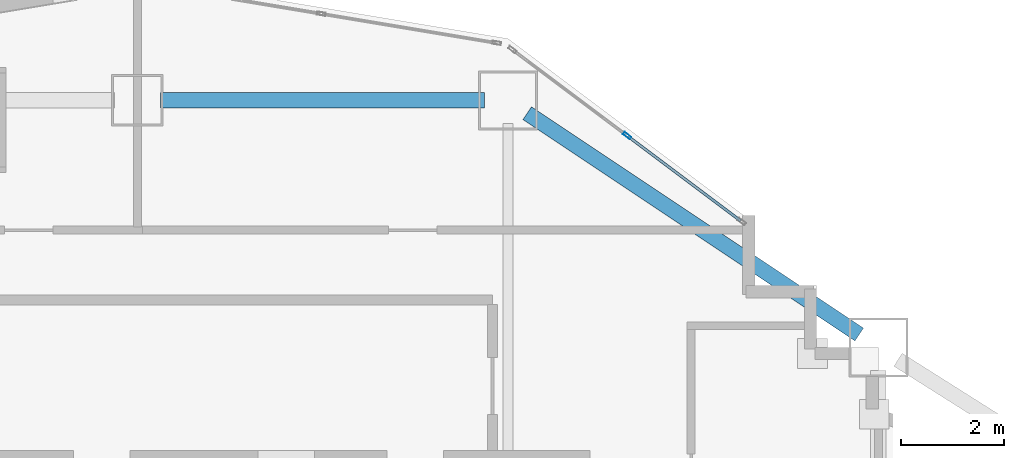
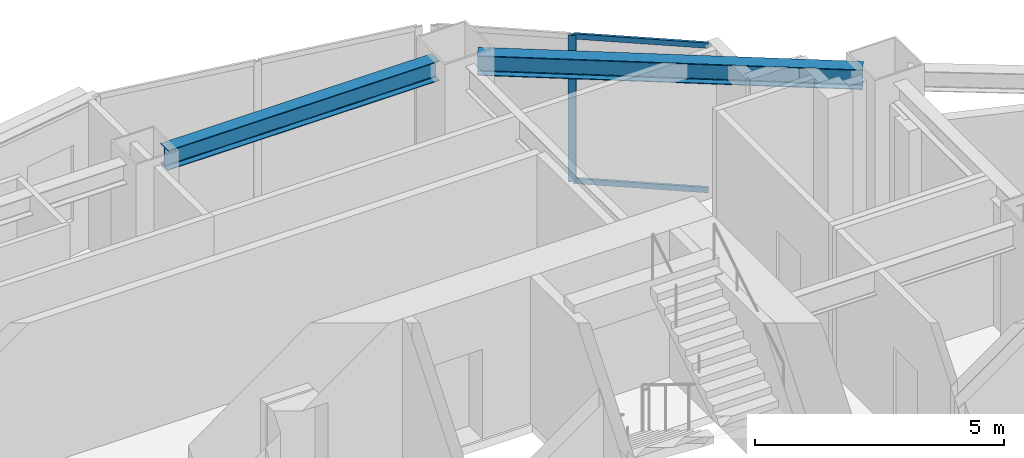
# One storey, part 3 of 17: 3 members, 2 beams, 1 element without a shape of its own.
"""IFC4 building model written with IfcOpenShell, lengths in metres."""

from ifc_helpers import new_model, si_unit, direction, frame, origin, origin_2d, place, context, subcontext, project, spatial, hollow_rectangle, i_section, extrude, material, layer, layer_set, material_profile, profile_set, type_object, element, aggregate, save


model = new_model("IFC4")

# Units and contexts
model_context = context("Model", 3, precision=1e-05, world=origin(), true_north=direction((0.0, 1.0)))
body_context = subcontext(model_context, "Body", "Model", "MODEL_VIEW")
ifc_project = project(units=[si_unit("LENGTHUNIT", "METRE"), si_unit("AREAUNIT", "SQUARE_METRE"), si_unit("VOLUMEUNIT", "CUBIC_METRE"), si_unit("PLANEANGLEUNIT", "RADIAN"), si_unit("MASSUNIT", "GRAM", prefix="KILO")], contexts=[model_context])

# Site, building, storey
site_placement = place(None, origin())
site = spatial("IfcSite", under=ifc_project, at=site_placement, CompositionType="ELEMENT")
building_placement = place(site_placement, origin())
building = spatial("IfcBuilding", under=site, at=building_placement, Name="Haolan Belvedere Tower", CompositionType="ELEMENT")
storey_placement = place(building_placement, frame((0.0, 0.0, 81.800048828125)))
storey = spatial("IfcBuildingStorey", under=building, at=storey_placement, Name="L20", CompositionType="ELEMENT", Elevation=81.800048828125)

# Beams
ifc_material_1 = material(Name="Steel Q355B", Category="steel")
ifc_material_profile_1 = material_profile(ifc_material_1, i_section(OverallWidth=0.300048828125, OverallDepth=0.488037109375, WebThickness=0.010986328125, FlangeThickness=0.01806640625, FilletRadius=0.02587890625, at=origin_2d()), Name="Steel Q355B")
ifc_profile_set_1 = profile_set([ifc_material_profile_1], Name="Steel Q355B")
beam_type = type_object("IfcBeamType", Name="BM-HM488x300x11x18", PredefinedType="SPANDREL", material=ifc_profile_set_1)
beam_1_placement = place(storey_placement, frame((38.85009765625, 50.39990234375, 3.35595703125), z_axis=(1.0, 0.0, 0.0), x_axis=(0.0, 1.0, 0.0)))
element("IfcBeam", 1, at=beam_1_placement, inside=storey, type_object=beam_type, Name="L20 spandrel girder TC-T3-NM-MC-T3-N2", PredefinedType="SPANDREL", context=body_context, shape_type="SweptSolid", body=[
    extrude(i_section(OverallWidth=0.300048828125, OverallDepth=0.488037109375, WebThickness=0.010986328125, FlangeThickness=0.01806640625, FilletRadius=0.02587890625, at=origin_2d()), origin(), (0.0, 0.0, 1.0), 6.2998046875),
])
beam_2_placement = place(storey_placement, frame((45.974365234375, 50.150390625, 3.35595703125), z_axis=(0.832050294338, -0.554700196225, 0.0), x_axis=(0.554700196225, 0.832050294338, 0.0)))
element("IfcBeam", 2, at=beam_2_placement, inside=storey, type_object=beam_type, Name="L20 spandrel girder MC-T3-N2-MC-T3-NE", PredefinedType="SPANDREL", context=body_context, shape_type="SweptSolid", body=[
    extrude(i_section(OverallWidth=0.300048828125, OverallDepth=0.488037109375, WebThickness=0.010986328125, FlangeThickness=0.01806640625, FilletRadius=0.02587890625, at=origin_2d()), origin(), (0.0, 0.0, 1.0), 7.75341796875),
])

# Curtain wall, members
ifc_material_2 = material(Name="Anodised champagne-silver aluminium 6063-T6 and Low-E glass", Category="aluminium")
ifc_layer = layer(ifc_material_2, 0.1650390625, Name="Anodised champagne-silver aluminium 6063-T6 and Low-E glass")
ifc_layer_set = layer_set([ifc_layer], Name="Anodised champagne-silver aluminium 6063-T6 and Low-E glass")
curtain_wall_type = type_object("IfcCurtainWallType", Name="CW-SYS-02", PredefinedType="NOTDEFINED", material=ifc_layer_set)
curtain_wall_placement = place(storey_placement, origin())
curtain_wall = element("IfcCurtainWall", 3, at=curtain_wall_placement, inside=storey, type_object=curtain_wall_type, Name="L20 CW-SYS-02 ribbon curtain wall 41.1", PredefinedType="NOTDEFINED")
ifc_material_3 = material(Name="Anodised aluminium 6063-T6", Category="aluminium")
ifc_material_profile_2 = material_profile(ifc_material_3, hollow_rectangle(XDim=0.06005859375, YDim=0.1650390625, WallThickness=0.00390625, at=origin_2d()), Name="Anodised aluminium 6063-T6")
ifc_profile_set_2 = profile_set([ifc_material_profile_2], Name="Anodised aluminium 6063-T6")
member_type_1 = type_object("IfcMemberType", Name="CW-SYS-02-MUL", PredefinedType="MULLION", material=ifc_profile_set_2)
member_1_placement = place(storey_placement, frame((47.915771484375, 49.713134765625, 0.0), z_axis=(0.0, 0.0, 1.0), x_axis=(-0.599994316874, -0.800004262313, 0.0)))
member_1 = element("IfcMember", 4, at=member_1_placement, type_object=member_type_1, Name="CW-02 mullion 2", PredefinedType="MULLION", context=body_context, shape_type="SweptSolid", body=[
    extrude(hollow_rectangle(XDim=0.06005859375, YDim=0.1650390625, WallThickness=0.00390625, at=origin_2d()), origin(), (0.0, 0.0, 1.0), 3.599853515625),
])
ifc_material_profile_3 = material_profile(ifc_material_3, hollow_rectangle(XDim=0.054931640625, YDim=0.1298828125, WallThickness=0.00390625, at=origin_2d()), Name="Anodised aluminium 6063-T6")
ifc_profile_set_3 = profile_set([ifc_material_profile_3], Name="Anodised aluminium 6063-T6")
member_type_2 = type_object("IfcMemberType", Name="CW-SYS-02-TRN", PredefinedType="USERDEFINED", material=ifc_profile_set_3)
member_2_placement = place(storey_placement, frame((50.1201171875, 48.06005859375, 0.02734375), z_axis=(-0.800010749092, 0.599985667609, 0.0), x_axis=(-0.599985667609, -0.800010749092, 0.0)))
member_2 = element("IfcMember", 5, at=member_2_placement, type_object=member_type_2, Name="CW-02 transom 1.1", ObjectType="TRANSOM", PredefinedType="USERDEFINED", context=body_context, shape_type="SweptSolid", body=[
    extrude(hollow_rectangle(XDim=0.054931640625, YDim=0.1298828125, WallThickness=0.00390625, at=origin_2d()), origin(), (0.0, 0.0, 1.0), 2.7255859375),
])
member_3_placement = place(storey_placement, frame((50.1201171875, 48.06005859375, 3.572509765625), z_axis=(-0.800010749092, 0.599985667609, 0.0), x_axis=(-0.599985667609, -0.800010749092, 0.0)))
member_3 = element("IfcMember", 6, at=member_3_placement, type_object=member_type_2, Name="CW-02 transom 1.2", ObjectType="TRANSOM", PredefinedType="USERDEFINED", context=body_context, shape_type="SweptSolid", body=[
    extrude(hollow_rectangle(XDim=0.054931640625, YDim=0.1298828125, WallThickness=0.00390625, at=origin_2d()), origin(), (0.0, 0.0, 1.0), 2.7255859375),
])
aggregate(curtain_wall, [member_1, member_2, member_3])

save(model, "model.ifc")
